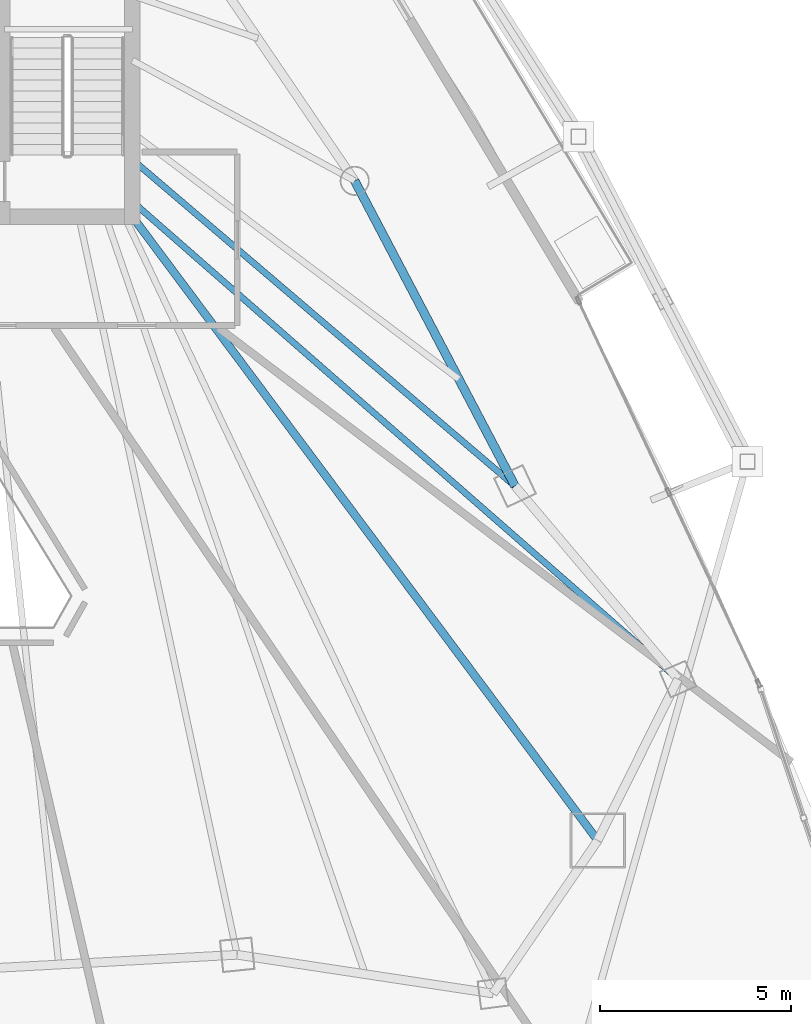
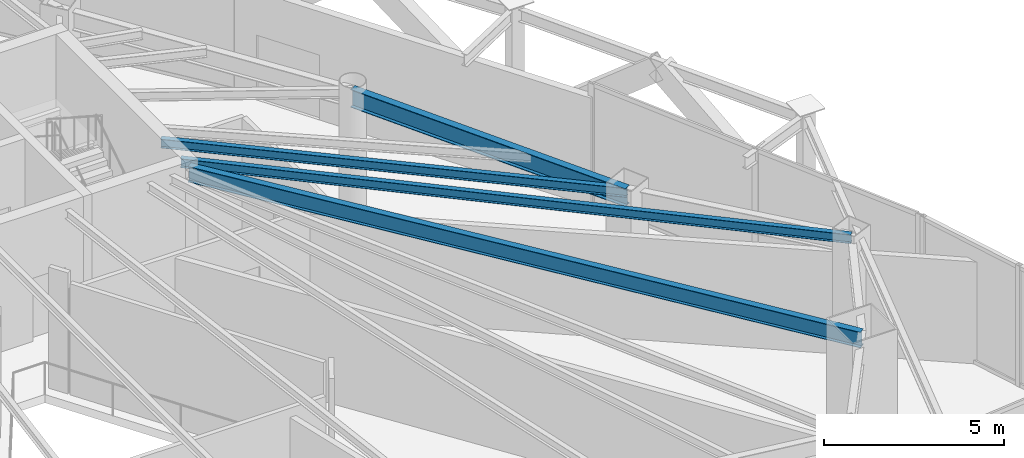
# One storey, part 15 of 28: 4 beams.
"""IFC4 building model written with IfcOpenShell, lengths in metres."""

from ifc_helpers import new_model, si_unit, direction, frame, origin, origin_2d, place, context, subcontext, project, spatial, i_section, extrude, material, material_profile, profile_set, type_object, element, save


model = new_model("IFC4")

# Units and contexts
model_context = context("Model", 3, precision=1e-05, world=origin(), true_north=direction((0.0, 1.0)))
body_context = subcontext(model_context, "Body", "Model", "MODEL_VIEW")
ifc_project = project(units=[si_unit("LENGTHUNIT", "METRE"), si_unit("AREAUNIT", "SQUARE_METRE"), si_unit("VOLUMEUNIT", "CUBIC_METRE"), si_unit("PLANEANGLEUNIT", "RADIAN"), si_unit("MASSUNIT", "GRAM", prefix="KILO")], contexts=[model_context])

# Site, building, storey
site_placement = place(None, origin())
site = spatial("IfcSite", under=ifc_project, at=site_placement, CompositionType="ELEMENT")
building_placement = place(site_placement, origin())
building = spatial("IfcBuilding", under=site, at=building_placement, Name="Orvanel Arch Residences", CompositionType="ELEMENT")
storey_placement = place(building_placement, frame((0.0, 0.0, 146.300048828125)))
storey = spatial("IfcBuildingStorey", under=building, at=storey_placement, Name="L41", CompositionType="ELEMENT", Elevation=146.300048828125)

# Beams
ifc_material = material(Name="Structural steel AS/NZS 3679.1 Grade 300 (300 MPa)", Category="steel")
ifc_material_profile_1 = material_profile(ifc_material, i_section(OverallWidth=0.208984375, OverallDepth=0.532958984375, WebThickness=0.01025390625, FlangeThickness=0.015625, at=origin_2d()), Name="530UB92.4")
ifc_profile_set_1 = profile_set([ifc_material_profile_1], Name="Structural steel AS/NZS 3679.1 Grade 300 (300 MPa)")
beam_type_1 = type_object("IfcBeamType", Name="BG-530UB", PredefinedType="BEAM", material=ifc_profile_set_1)
beam_1_placement = place(storey_placement, frame((39.625, 26.675048828125, 3.843017578125), z_axis=(0.597893733742, -0.801575375839, 0.0), x_axis=(0.801575375839, 0.597893733742, 0.0)))
element("IfcBeam", 1, at=beam_1_placement, inside=storey, type_object=beam_type_1, Name="L41 South-East Radial Girder", PredefinedType="BEAM", context=body_context, shape_type="SweptSolid", body=[
    extrude(i_section(OverallWidth=0.208984375, OverallDepth=0.532958984375, WebThickness=0.01025390625, FlangeThickness=0.015625, at=origin_2d()), origin(), (0.0, 0.0, 1.0), 20.36474609375),
])
ifc_material_profile_2 = material_profile(ifc_material, i_section(OverallWidth=0.1650390625, OverallDepth=0.303955078125, WebThickness=0.006103515625, FlangeThickness=0.01025390625, at=origin_2d()), Name="310UB40.4")
ifc_profile_set_2 = profile_set([ifc_material_profile_2], Name="Structural steel AS/NZS 3679.1 Grade 300 (300 MPa)")
beam_type_2 = type_object("IfcBeamType", Name="BJ-310UB", PredefinedType="JOIST", material=ifc_profile_set_2)
beam_2_placement = place(storey_placement, frame((39.60009765625, 28.199951171875, 3.9580078125), z_axis=(0.760821315761, -0.648961420644, 0.0), x_axis=(0.648961420644, 0.760821315761, 0.0)))
element("IfcBeam", 2, at=beam_2_placement, inside=storey, type_object=beam_type_2, Name="L41 E Wing Floor Joist", PredefinedType="JOIST", context=body_context, shape_type="SweptSolid", body=[
    extrude(i_section(OverallWidth=0.1650390625, OverallDepth=0.303955078125, WebThickness=0.006103515625, FlangeThickness=0.01025390625, at=origin_2d()), origin(), (0.0, 0.0, 1.0), 13.18701171875),
])
beam_3_placement = place(storey_placement, frame((39.60009765625, 27.10009765625, 3.9580078125), z_axis=(0.752493154183, -0.658600070534, 0.0), x_axis=(0.658600070534, 0.752493154183, 0.0)))
element("IfcBeam", 3, at=beam_3_placement, inside=storey, type_object=beam_type_2, Name="L41 ME Wing Floor Joist", PredefinedType="JOIST", context=body_context, shape_type="SweptSolid", body=[
    extrude(i_section(OverallWidth=0.1650390625, OverallDepth=0.303955078125, WebThickness=0.006103515625, FlangeThickness=0.01025390625, at=origin_2d()), origin(), (0.0, 0.0, 1.0), 19.010009765625),
])
ifc_material_profile_3 = material_profile(ifc_material, i_section(OverallWidth=0.22900390625, OverallDepth=0.612060546875, WebThickness=0.011962890625, FlangeThickness=0.01953125, at=origin_2d()), Name="610UB125")
ifc_profile_set_3 = profile_set([ifc_material_profile_3], Name="Structural steel AS/NZS 3679.1 Grade 300 (300 MPa)")
beam_type_3 = type_object("IfcBeamType", Name="SP-610UB", PredefinedType="SPANDREL", material=ifc_profile_set_3)
beam_4_placement = place(storey_placement, frame((49.633056640625, 19.64208984375, 3.803955078125), z_axis=(-0.465064762793, 0.885276660942, 0.0), x_axis=(-0.885276660942, -0.465064762793, 0.0)))
element("IfcBeam", 4, at=beam_4_placement, inside=storey, type_object=beam_type_3, Name="L41 Perimeter Spandrel Beam 11", PredefinedType="SPANDREL", context=body_context, shape_type="SweptSolid", body=[
    extrude(i_section(OverallWidth=0.22900390625, OverallDepth=0.612060546875, WebThickness=0.011962890625, FlangeThickness=0.01953125, at=origin_2d()), origin(), (0.0, 0.0, 1.0), 9.03564453125),
])

save(model, "model.ifc")
